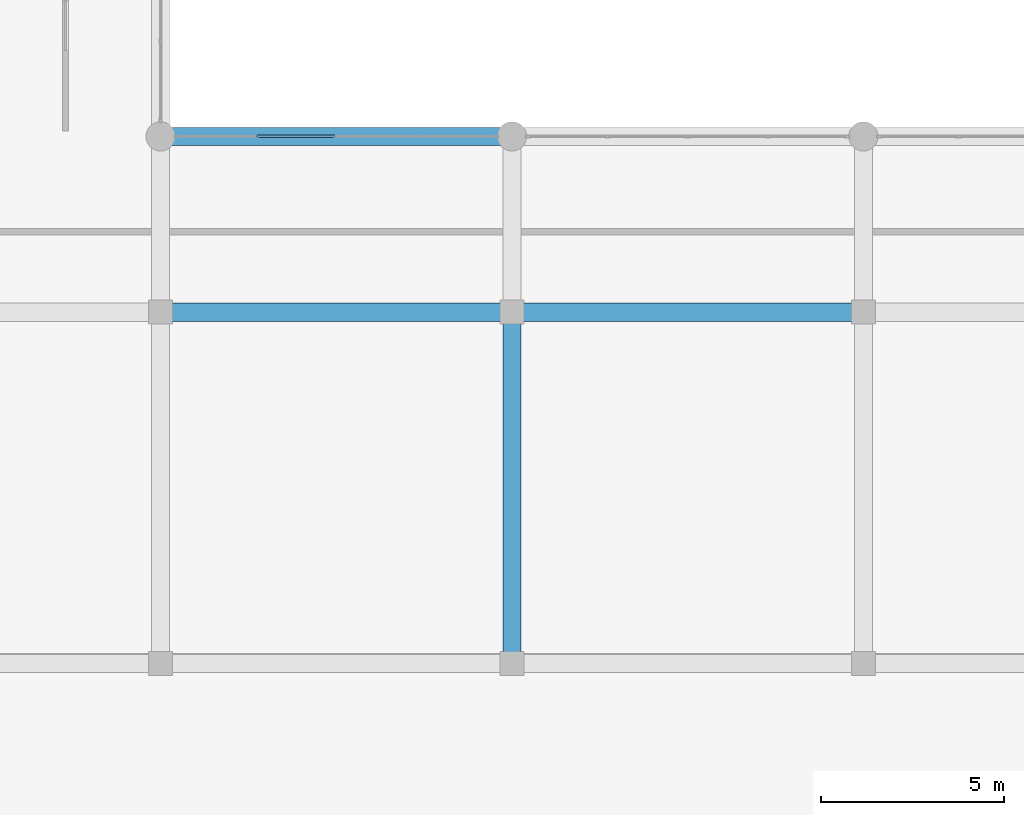
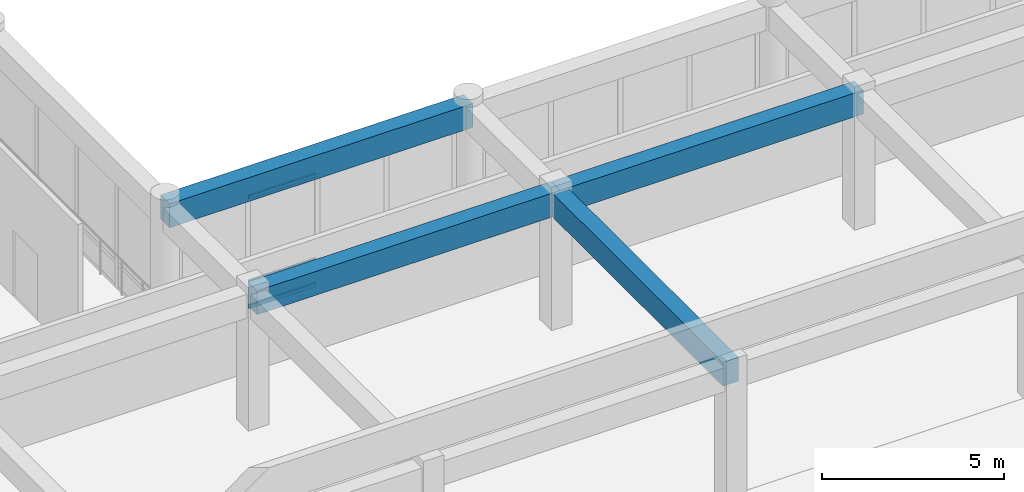
# One storey, part 5 of 101: 4 beams, 3 members, 1 element without a shape of its own.
"""IFC4 building model written with IfcOpenShell, lengths in metres."""

import ifcopenshell
import ifcopenshell.guid

model = None  # the IFC model being written
_history = None  # IfcOwnerHistory: only IFC2X3 demands one
_inside = {}  # id of a spatial element -> (the spatial element, [elements in it])
_under = {}  # id of a project, library or spatial element -> (it, [spatial elements below it])
_declared = {}  # id of a project -> (the project, [libraries it declares])
_typed = {}  # id of a type object -> (the type object, [elements of that type])
_made_of = {}  # id of a material, layer set ... -> (it, [elements and type objects made of it])


def new_model(schema):
    """Start an empty IFC model of exactly this schema.

    Asked for "IFC4X3", IfcOpenShell would pick the latest addendum, in which some entities
    have other attributes; the version numbers below select the first issue.
    IFC2X3 requires an IfcOwnerHistory on every rooted entity: one is made here for all.
    """
    global model, _history
    if schema == "IFC4X3":
        model = ifcopenshell.file(schema_version=(4, 3, 0, 0))
    else:
        model = ifcopenshell.file(schema=schema)
    _inside.clear()
    _under.clear()
    _declared.clear()
    _typed.clear()
    _made_of.clear()
    _history = None
    if model.schema == "IFC2X3":
        org = make("IfcOrganization", Name="unknown")
        user = make(
            "IfcPersonAndOrganization",
            ThePerson=make("IfcPerson", FamilyName="unknown"),
            TheOrganization=org,
        )
        app = make(
            "IfcApplication",
            ApplicationDeveloper=org,
            Version="unknown",
            ApplicationFullName="unknown",
            ApplicationIdentifier="unknown",
        )
        _history = make(
            "IfcOwnerHistory",
            OwningUser=user,
            OwningApplication=app,
            ChangeAction="ADDED",
            CreationDate=0,
        )
    return model


def make(cls, **values):
    """One entity of the class cls with the attributes given. An attribute that is None is left unset."""
    return model.create_entity(
        cls, **{name: value for name, value in values.items() if value is not None}
    )


def rooted(cls, **values):
    """An entity with a GlobalId (a new one), such as an element, a storey or a relation."""
    return make(cls, GlobalId=ifcopenshell.guid.new(), OwnerHistory=_history, **values)


def si_unit(unit_type, name, prefix=None):
    """IfcSIUnit, for example si_unit("LENGTHUNIT", "METRE", prefix="MILLI")."""
    return make("IfcSIUnit", UnitType=unit_type, Prefix=prefix, Name=name)


def assignment(units):
    """IfcUnitAssignment: the units of a project."""
    return None if units is None else make("IfcUnitAssignment", Units=units)


def point(xyz):
    """IfcCartesianPoint."""
    return None if xyz is None else make("IfcCartesianPoint", Coordinates=xyz)


def direction(xyz):
    """IfcDirection."""
    return None if xyz is None else make("IfcDirection", DirectionRatios=xyz)


def frame(location, z_axis=None, x_axis=None):
    """IfcAxis2Placement3D, a coordinate frame: its origin and axes. An axis left out is left unset."""
    return make(
        "IfcAxis2Placement3D",
        Location=point(location),
        Axis=direction(z_axis),
        RefDirection=direction(x_axis),
    )


def frame_2d(location, x_axis=None):
    """IfcAxis2Placement2D, a coordinate frame in the plane: its origin and x axis."""
    return make(
        "IfcAxis2Placement2D", Location=point(location), RefDirection=direction(x_axis)
    )


def origin():
    """The frame at (0, 0, 0) with its axes left unset."""
    return frame((0.0, 0.0, 0.0))


def origin_2d():
    """The frame at (0, 0) in the plane with its x axis left unset."""
    return frame_2d((0.0, 0.0))


def place(relative_to, where):
    """IfcLocalPlacement: puts the frame where relative to a parent placement (None: the world)."""
    return make(
        "IfcLocalPlacement", PlacementRelTo=relative_to, RelativePlacement=where
    )


def context(
    kind, dimensions, precision=None, world=None, true_north=None, identifier=None
):
    """IfcGeometricRepresentationContext, for example the 3D "Model" context."""
    return make(
        "IfcGeometricRepresentationContext",
        ContextIdentifier=identifier,
        ContextType=kind,
        CoordinateSpaceDimension=dimensions,
        Precision=precision,
        WorldCoordinateSystem=world,
        TrueNorth=true_north,
    )


def subcontext(parent, identifier, kind, view, scale=None):
    """IfcGeometricRepresentationSubContext, for example "Body" below "Model"."""
    return make(
        "IfcGeometricRepresentationSubContext",
        ContextIdentifier=identifier,
        ContextType=kind,
        ParentContext=parent,
        TargetScale=scale,
        TargetView=view,
    )


def project(units=None, contexts=None):
    """IfcProject with its units and contexts."""
    return rooted(
        "IfcProject",
        Name="project",
        RepresentationContexts=contexts,
        UnitsInContext=assignment(units),
    )


def spatial(cls, under=None, at=None, **own):
    """A site, building, storey or space (cls), placed at a placement, below another one or the project."""
    s = rooted(cls, ObjectPlacement=at, **own)
    if under is not None:
        _under.setdefault(under.id(), (under, []))[1].append(s)
    return s


def profile(cls, at=None, kind="AREA", **sizes):
    """A parametric profile (cls). Its sizes go by their IFC names, for example OverallWidth=200.0."""
    return make(cls, ProfileType=kind, Position=at, **sizes)


def rectangle(**sizes):
    """IfcRectangleProfileDef."""
    return profile("IfcRectangleProfileDef", **sizes)


def hollow_rectangle(**sizes):
    """IfcRectangleHollowProfileDef."""
    return profile("IfcRectangleHollowProfileDef", **sizes)


def extrude(swept, where, along, depth):
    """IfcExtrudedAreaSolid: the profile swept, set in the frame where, extruded along a direction by depth."""
    return make(
        "IfcExtrudedAreaSolid",
        SweptArea=swept,
        Position=where,
        ExtrudedDirection=direction(along),
        Depth=depth,
    )


def shape(context_of_items, identifier, shape_type, items):
    """IfcShapeRepresentation: the items that make up one representation, for example the "Body"."""
    return make(
        "IfcShapeRepresentation",
        ContextOfItems=context_of_items,
        RepresentationIdentifier=identifier,
        RepresentationType=shape_type,
        Items=items,
    )


def material(Name=None, Category=None):
    """IfcMaterial."""
    return make("IfcMaterial", Name=Name, Category=Category)


def layer(
    of_material, thickness, ventilated=None, Name=None, Category=None, Priority=None
):
    """IfcMaterialLayer: one layer of a wall or slab, of a material (None: an air gap)."""
    return make(
        "IfcMaterialLayer",
        Material=of_material,
        LayerThickness=thickness,
        IsVentilated=ventilated,
        Name=Name,
        Category=Category,
        Priority=Priority,
    )


def layer_set(layers, Name=None):
    """IfcMaterialLayerSet."""
    return make("IfcMaterialLayerSet", MaterialLayers=layers, LayerSetName=Name)


def material_profile(
    of_material, cross_section, Name=None, Category=None, Priority=None
):
    """IfcMaterialProfile: a cross section and its material."""
    return make(
        "IfcMaterialProfile",
        Name=Name,
        Material=of_material,
        Profile=cross_section,
        Priority=Priority,
        Category=Category,
    )


def profile_set(profiles, Name=None, composite=None):
    """IfcMaterialProfileSet."""
    return make(
        "IfcMaterialProfileSet",
        Name=Name,
        MaterialProfiles=profiles,
        CompositeProfile=composite,
    )


def made_of(thing, what):
    """Note that an element or type object is made of a material, layer set ...; save() writes the relation."""
    if what is not None:
        _made_of.setdefault(what.id(), (what, []))[1].append(thing)
    return thing


def type_object(cls, material=None, **own):
    """A type object (cls), such as IfcWallType, which elements share."""
    return made_of(rooted(cls, **own), material)


def element(
    cls,
    number,
    at=None,
    inside=None,
    cuts=None,
    type_object=None,
    material=None,
    context=None,
    identifier="Body",
    shape_type=None,
    held_by="IfcProductDefinitionShape",
    body=None,
    shapes=None,
    **own,
):
    """One element of the class cls, such as IfcWall. Its Tag is "e" and its number.

    at: its placement. inside: the storey or other place that contains it. cuts: it is an
    opening in that element (IfcRelVoidsElement). A single representation is given by context,
    identifier, shape_type and body (its items); several are given by shapes. held_by: the class
    of the entity that holds the representations. save() writes the other relations.
    """
    e = rooted(cls, Tag="e%d" % number, ObjectPlacement=at, **own)
    if body is not None:
        shapes = [shape(context, identifier, shape_type, body)]
    if shapes is not None:
        e.Representation = make(held_by, Representations=shapes)
    if inside is not None:
        _inside.setdefault(inside.id(), (inside, []))[1].append(e)
    if cuts is not None:
        rooted(
            "IfcRelVoidsElement", RelatingBuildingElement=cuts, RelatedOpeningElement=e
        )
    if type_object is not None:
        _typed.setdefault(type_object.id(), (type_object, []))[1].append(e)
    return made_of(e, material)


def aggregate(whole, parts):
    """IfcRelAggregates: a whole, such as a stair, and the parts it consists of."""
    return rooted("IfcRelAggregates", RelatingObject=whole, RelatedObjects=parts)


def save(model, path):
    """Write the relations noted so far, then the file.

    IfcRelAggregates (storeys below a building ...), IfcRelContainedInSpatialStructure (elements
    in a storey), IfcRelDefinesByType, IfcRelAssociatesMaterial and IfcRelDeclares: one each for
    every whole, place, type object, material and project.
    """
    for whole, parts in _under.values():
        aggregate(whole, parts)
    for where, things in _inside.values():
        rooted(
            "IfcRelContainedInSpatialStructure",
            RelatedElements=things,
            RelatingStructure=where,
        )
    for kind, things in _typed.values():
        rooted("IfcRelDefinesByType", RelatedObjects=things, RelatingType=kind)
    for what, things in _made_of.values():
        rooted("IfcRelAssociatesMaterial", RelatedObjects=things, RelatingMaterial=what)
    for by, libraries in _declared.values():
        rooted("IfcRelDeclares", RelatingContext=by, RelatedDefinitions=libraries)
    model.write(path)


model = new_model("IFC4")

# Units and contexts
model_context = context("Model", 3, precision=1e-05, world=origin(), true_north=direction((0.0, 1.0)))
body_context = subcontext(model_context, "Body", "Model", "MODEL_VIEW")
ifc_project = project(units=[si_unit("LENGTHUNIT", "METRE"), si_unit("AREAUNIT", "SQUARE_METRE"), si_unit("VOLUMEUNIT", "CUBIC_METRE"), si_unit("PLANEANGLEUNIT", "RADIAN"), si_unit("MASSUNIT", "GRAM", prefix="KILO")], contexts=[model_context])

# Site, building, storey
site_placement = place(None, origin())
site = spatial("IfcSite", under=ifc_project, at=site_placement, CompositionType="ELEMENT")
building_placement = place(site_placement, origin())
building = spatial("IfcBuilding", under=site, at=building_placement, Name="Nakhvara Creek Congress Hotel", CompositionType="ELEMENT")
storey_placement = place(building_placement, frame((0.0, 0.0, 16.199951171875)))
storey = spatial("IfcBuildingStorey", under=building, at=storey_placement, Name="L03", CompositionType="ELEMENT", Elevation=16.199951171875)

# Beams
ifc_material_1 = material(Name="Concrete C40/50", Category="concrete")
ifc_material_profile_1 = material_profile(ifc_material_1, rectangle(XDim=0.5, YDim=0.800048828125, at=origin_2d()), Name="RC-BM 500x800", Category="LoadBearing")
ifc_profile_set_1 = profile_set([ifc_material_profile_1], Name="Concrete C40/50")
beam_type = type_object("IfcBeamType", Name="BM-RC-500X800", PredefinedType="BEAM", material=ifc_profile_set_1)
for number, where, z_axis, x_axis, name in (
    (1, (76.800048828125, 38.39990234375, 4.14013671875), (1.0, 0.0, 0.0), (0.0, 1.0, 0.0), "Beam B03-L03-1706"),
    (2, (76.800048828125, 43.199951171875, 4.14013671875), (1.0, 0.0, 0.0), (0.0, 1.0, 0.0), "Beam B03-L03-1708"),
    (3, (86.39990234375, 28.800048828125, 4.14013671875), (0.0, 1.0, 0.0), (-1.0, 0.0, 0.0), "Beam B03-L03-1717"),
):
    element("IfcBeam", number, at=place(storey_placement, frame(where, z_axis=z_axis, x_axis=x_axis)), inside=storey, type_object=beam_type, Name=name, PredefinedType="BEAM", context=body_context, shape_type="SweptSolid", body=[
        extrude(rectangle(XDim=0.5, YDim=0.800048828125, at=origin_2d()), origin(), (0.0, 0.0, 1.0), 9.599853515625),
    ])
beam_placement = place(storey_placement, frame((86.39990234375, 38.39990234375, 4.14013671875), z_axis=(1.0, 0.0, 0.0), x_axis=(0.0, 1.0, 0.0)))
element("IfcBeam", 4, at=beam_placement, inside=storey, type_object=beam_type, Name="Beam B03-L03-1720", PredefinedType="BEAM", context=body_context, shape_type="SweptSolid", body=[
    extrude(rectangle(XDim=0.5, YDim=0.800048828125, at=origin_2d()), origin(), (0.0, 0.0, 1.0), 9.60009765625),
])

# Curtain wall, members
ifc_material_2 = material(Name="Bronze-anodised aluminium AW-6063-T6 and double-silver low-E glass", Category="aluminium")
ifc_layer = layer(ifc_material_2, 0.199951171875)
ifc_layer_set = layer_set([ifc_layer], Name="Bronze-anodised aluminium AW-6063-T6 and double-silver low-E glass")
curtain_wall_type = type_object("IfcCurtainWallType", Name="CW-POD-STICK", PredefinedType="NOTDEFINED", material=ifc_layer_set)
curtain_wall_placement = place(storey_placement, origin())
curtain_wall = element("IfcCurtainWall", 5, at=curtain_wall_placement, inside=storey, type_object=curtain_wall_type, Name="Curtain Wall CW049", PredefinedType="NOTDEFINED")
ifc_material_3 = material(Name="Bronze-anodised aluminium AW-6063-T6", Category="aluminium")
ifc_material_profile_2 = material_profile(ifc_material_3, hollow_rectangle(XDim=0.06494140625, YDim=0.1201171875, WallThickness=0.00390625, at=origin_2d()), Name="ALU-TRAN 65x120x4", Category="LoadBearing")
ifc_profile_set_2 = profile_set([ifc_material_profile_2], Name="Bronze-anodised aluminium AW-6063-T6")
member_type = type_object("IfcMemberType", Name="CW-TRAN-120", PredefinedType="USERDEFINED", material=ifc_profile_set_2)
member_1_placement = place(storey_placement, frame((79.43994140625, 43.199951171875, 0.032470703125), z_axis=(1.0, 0.0, 0.0), x_axis=(0.0, 1.0, 0.0)))
member_1 = element("IfcMember", 6, at=member_1_placement, type_object=member_type, Name="CW049 transom 2.1", ObjectType="TRANSOM", PredefinedType="USERDEFINED", context=body_context, shape_type="SweptSolid", body=[
    extrude(hollow_rectangle(XDim=0.06494140625, YDim=0.1201171875, WallThickness=0.00390625, at=origin_2d()), origin(), (0.0, 0.0, 1.0), 2.12744140625),
])
member_2_placement = place(storey_placement, frame((79.43994140625, 43.199951171875, 0.85009765625), z_axis=(1.0, 0.0, 0.0), x_axis=(0.0, 1.0, 0.0)))
member_2 = element("IfcMember", 7, at=member_2_placement, type_object=member_type, Name="CW049 transom 2.2", ObjectType="TRANSOM", PredefinedType="USERDEFINED", context=body_context, shape_type="SweptSolid", body=[
    extrude(hollow_rectangle(XDim=0.06494140625, YDim=0.1201171875, WallThickness=0.00390625, at=origin_2d()), origin(), (0.0, 0.0, 1.0), 2.12744140625),
])
member_3_placement = place(storey_placement, frame((79.43994140625, 43.199951171875, 3.699462890625), z_axis=(1.0, 0.0, 0.0), x_axis=(0.0, 1.0, 0.0)))
member_3 = element("IfcMember", 8, at=member_3_placement, type_object=member_type, Name="CW049 transom 2.3", ObjectType="TRANSOM", PredefinedType="USERDEFINED", context=body_context, shape_type="SweptSolid", body=[
    extrude(hollow_rectangle(XDim=0.06494140625, YDim=0.1201171875, WallThickness=0.00390625, at=origin_2d()), origin(), (0.0, 0.0, 1.0), 2.12744140625),
])
aggregate(curtain_wall, [member_1, member_2, member_3])

save(model, "model.ifc")
